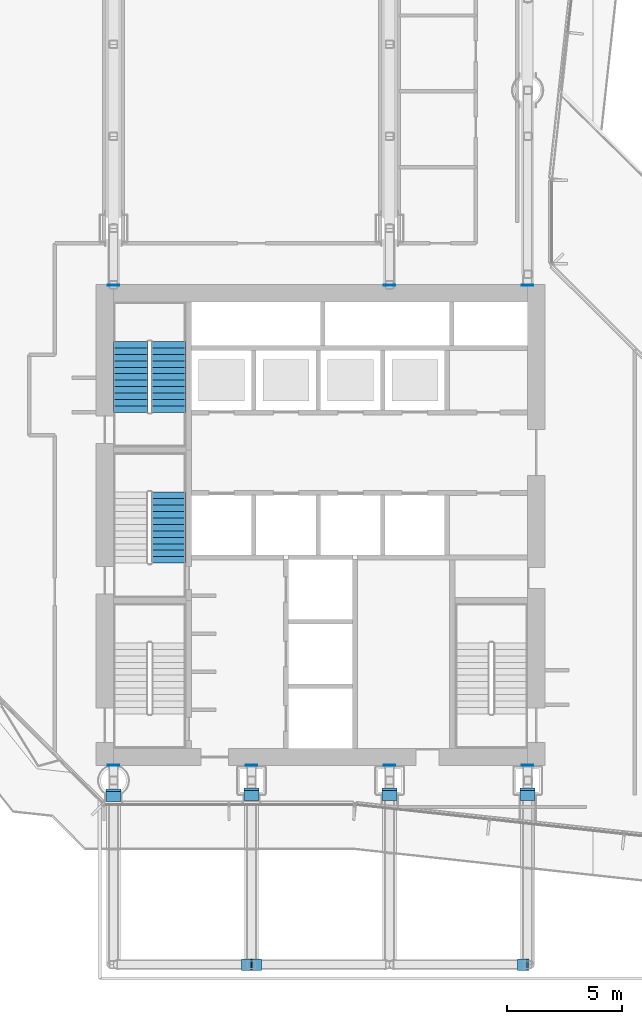
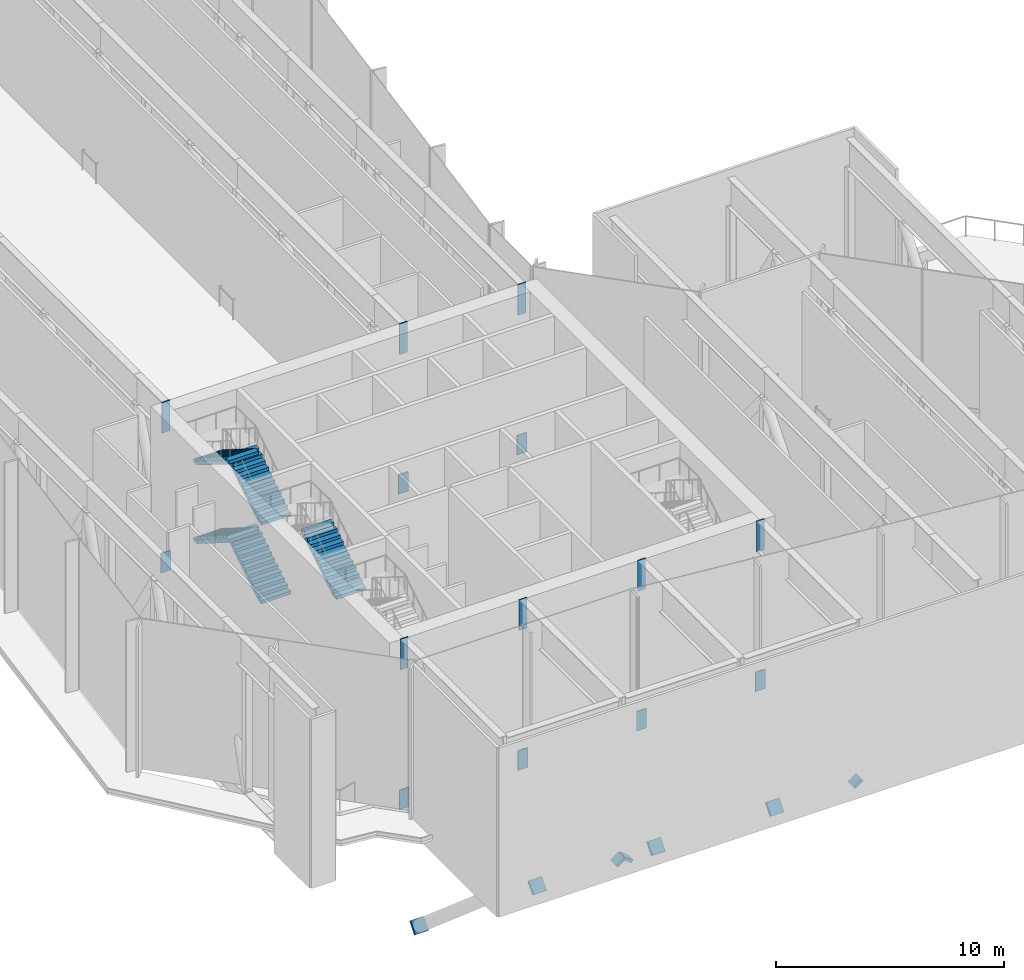
# One storey, part 16 of 24: 21 discrete accessories, 5 stair flights, 2 elements without a shape of their own.
"""IFC4 building model written with IfcOpenShell, lengths in metres."""

from ifc_helpers import new_model, si_unit, direction, frame, origin, origin_2d, place, context, subcontext, project, spatial, polyline, rectangle, outline, extrude, material, type_object, element, aggregate, save


model = new_model("IFC4")

# Units and contexts
model_context = context("Model", 3, precision=1e-05, world=origin(), true_north=direction((0.0, 1.0)))
body_context = subcontext(model_context, "Body", "Model", "MODEL_VIEW")
ifc_project = project(units=[si_unit("LENGTHUNIT", "METRE"), si_unit("AREAUNIT", "SQUARE_METRE"), si_unit("VOLUMEUNIT", "CUBIC_METRE"), si_unit("PLANEANGLEUNIT", "RADIAN"), si_unit("MASSUNIT", "GRAM", prefix="KILO")], contexts=[model_context])

# Site, building, storey
site_placement = place(None, origin())
site = spatial("IfcSite", under=ifc_project, at=site_placement, CompositionType="ELEMENT")
building_placement = place(site_placement, origin())
building = spatial("IfcBuilding", under=site, at=building_placement, Name="Welwitschia Terrace Campus", CompositionType="ELEMENT")
storey_placement = place(building_placement, frame((0.0, 0.0, 138.199951171875)))
storey = spatial("IfcBuildingStorey", under=building, at=storey_placement, Name="L31", CompositionType="ELEMENT", Elevation=138.199951171875)

# Stair, stair flight
ifc_material_1 = material(Name="Concrete C40/50", Category="concrete")
stair_type = type_object("IfcStairType", Name="Stair 48R 175 W1500", PredefinedType="HALF_TURN_STAIR", material=ifc_material_1)
stair_1_placement = place(storey_placement, origin())
stair_1 = element("IfcStair", 1, at=stair_1_placement, inside=storey, type_object=stair_type, Name="L31 Exit stair S3", PredefinedType="HALF_TURN_STAIR")
ifc_material_2 = material(Name="Concrete C40/50", Category="concrete")
stair_flight_type = type_object("IfcStairFlightType", Name="Stair flight 48R 175 W1500", PredefinedType="STRAIGHT", material=ifc_material_2)
stair_flight_1_placement = place(storey_placement, frame((8.39990234375, 13.449951171875, 4.199951171875), z_axis=(0.0, 0.0, 1.0), x_axis=(0.0, 1.0, 0.0)))
stair_flight_1 = element("IfcStairFlight", 2, at=stair_flight_1_placement, type_object=stair_flight_type, Name="S3 flight 3", NumberOfRisers=12, NumberOfTreads=11, PredefinedType="STRAIGHT", RiserHeight=0.175, TreadLength=0.28, context=body_context, shape_type="SweptSolid", body=[
    extrude(outline(polyline([(0.0, 0.0), (0.0, 0.175048828125), (0.280029296875, 0.175048828125), (0.280029296875, 0.35009765625), (0.56005859375, 0.35009765625), (0.56005859375, 0.52490234375), (0.840087890625, 0.52490234375), (0.840087890625, 0.699951171875), (1.1201171875, 0.699951171875), (1.1201171875, 0.875), (1.39990234375, 0.875), (1.39990234375, 1.050048828125), (1.679931640625, 1.050048828125), (1.679931640625, 1.22509765625), (1.9599609375, 1.22509765625), (1.9599609375, 1.39990234375), (2.239990234375, 1.39990234375), (2.239990234375, 1.574951171875), (2.52001953125, 1.574951171875), (2.52001953125, 1.75), (2.800048828125, 1.75), (2.800048828125, 1.925048828125), (3.080078125, 1.925048828125), (3.080078125, 2.10009765625), (3.080078125, 1.748291015625), (0.28271484375, 0.0), (0.0, 0.0)])), frame((0.0, 0.75, 0.0), z_axis=(0.0, -1.0, 0.0), x_axis=(1.0, 0.0, 0.0)), (0.0, 0.0, 1.0), 1.5),
])
aggregate(stair_1, [stair_flight_1])

# Stair, stair flights
stair_2_placement = place(storey_placement, origin())
stair_2 = element("IfcStair", 3, at=stair_2_placement, inside=storey, type_object=stair_type, Name="L31 Exit stair S4", PredefinedType="HALF_TURN_STAIR")
stair_flight_2_placement = place(storey_placement, frame((8.39990234375, 20.0, 0.0), z_axis=(0.0, 0.0, 1.0), x_axis=(0.0, 1.0, 0.0)))
stair_flight_2 = element("IfcStairFlight", 4, at=stair_flight_2_placement, type_object=stair_flight_type, Name="S4 flight 1", NumberOfRisers=12, NumberOfTreads=11, PredefinedType="STRAIGHT", RiserHeight=0.175, TreadLength=0.28, context=body_context, shape_type="SweptSolid", body=[
    extrude(outline(polyline([(0.0, 0.0), (0.0, 0.175048828125), (0.280029296875, 0.175048828125), (0.280029296875, 0.35009765625), (0.56005859375, 0.35009765625), (0.56005859375, 0.52490234375), (0.840087890625, 0.52490234375), (0.840087890625, 0.699951171875), (1.1201171875, 0.699951171875), (1.1201171875, 0.875), (1.39990234375, 0.875), (1.39990234375, 1.050048828125), (1.679931640625, 1.050048828125), (1.679931640625, 1.22509765625), (1.9599609375, 1.22509765625), (1.9599609375, 1.39990234375), (2.239990234375, 1.39990234375), (2.239990234375, 1.574951171875), (2.52001953125, 1.574951171875), (2.52001953125, 1.75), (2.800048828125, 1.75), (2.800048828125, 1.925048828125), (3.080078125, 1.925048828125), (3.080078125, 2.10009765625), (3.080078125, 1.748291015625), (0.28271484375, 0.0), (0.0, 0.0)])), frame((0.0, 0.75, 0.0), z_axis=(0.0, -1.0, 0.0), x_axis=(1.0, 0.0, 0.0)), (0.0, 0.0, 1.0), 1.5),
])
stair_flight_3_placement = place(storey_placement, frame((6.75, 23.080078125, 2.10009765625), z_axis=(0.0, 0.0, 1.0), x_axis=(0.0, -1.0, 0.0)))
stair_flight_3 = element("IfcStairFlight", 5, at=stair_flight_3_placement, type_object=stair_flight_type, Name="S4 flight 2", NumberOfRisers=12, NumberOfTreads=11, PredefinedType="STRAIGHT", RiserHeight=0.175, TreadLength=0.28, context=body_context, shape_type="SweptSolid", body=[
    extrude(outline(polyline([(0.0, 0.0), (0.0, 0.175048828125), (0.280029296875, 0.175048828125), (0.280029296875, 0.35009765625), (0.56005859375, 0.35009765625), (0.56005859375, 0.52490234375), (0.840087890625, 0.52490234375), (0.840087890625, 0.699951171875), (1.1201171875, 0.699951171875), (1.1201171875, 0.875), (1.39990234375, 0.875), (1.39990234375, 1.050048828125), (1.679931640625, 1.050048828125), (1.679931640625, 1.22509765625), (1.9599609375, 1.22509765625), (1.9599609375, 1.39990234375), (2.239990234375, 1.39990234375), (2.239990234375, 1.574951171875), (2.52001953125, 1.574951171875), (2.52001953125, 1.75), (2.800048828125, 1.75), (2.800048828125, 1.925048828125), (3.080078125, 1.925048828125), (3.080078125, 2.10009765625), (3.080078125, 1.748291015625), (0.28271484375, 0.0), (0.0, 0.0)])), frame((0.0, 0.75, 0.0), z_axis=(0.0, -1.0, 0.0), x_axis=(1.0, 0.0, 0.0)), (0.0, 0.0, 1.0), 1.5),
])
stair_flight_4_placement = place(storey_placement, frame((8.39990234375, 20.0, 4.199951171875), z_axis=(0.0, 0.0, 1.0), x_axis=(0.0, 1.0, 0.0)))
stair_flight_4 = element("IfcStairFlight", 6, at=stair_flight_4_placement, type_object=stair_flight_type, Name="S4 flight 3", NumberOfRisers=12, NumberOfTreads=11, PredefinedType="STRAIGHT", RiserHeight=0.175, TreadLength=0.28, context=body_context, shape_type="SweptSolid", body=[
    extrude(outline(polyline([(0.0, 0.0), (0.0, 0.175048828125), (0.280029296875, 0.175048828125), (0.280029296875, 0.35009765625), (0.56005859375, 0.35009765625), (0.56005859375, 0.52490234375), (0.840087890625, 0.52490234375), (0.840087890625, 0.699951171875), (1.1201171875, 0.699951171875), (1.1201171875, 0.875), (1.39990234375, 0.875), (1.39990234375, 1.050048828125), (1.679931640625, 1.050048828125), (1.679931640625, 1.22509765625), (1.9599609375, 1.22509765625), (1.9599609375, 1.39990234375), (2.239990234375, 1.39990234375), (2.239990234375, 1.574951171875), (2.52001953125, 1.574951171875), (2.52001953125, 1.75), (2.800048828125, 1.75), (2.800048828125, 1.925048828125), (3.080078125, 1.925048828125), (3.080078125, 2.10009765625), (3.080078125, 1.748291015625), (0.28271484375, 0.0), (0.0, 0.0)])), frame((0.0, 0.75, 0.0), z_axis=(0.0, -1.0, 0.0), x_axis=(1.0, 0.0, 0.0)), (0.0, 0.0, 1.0), 1.5),
])
stair_flight_5_placement = place(storey_placement, frame((6.75, 23.080078125, 6.300048828125), z_axis=(0.0, 0.0, 1.0), x_axis=(0.0, -1.0, 0.0)))
stair_flight_5 = element("IfcStairFlight", 7, at=stair_flight_5_placement, type_object=stair_flight_type, Name="S4 flight 4", NumberOfRisers=12, NumberOfTreads=11, PredefinedType="STRAIGHT", RiserHeight=0.175, TreadLength=0.28, context=body_context, shape_type="SweptSolid", body=[
    extrude(outline(polyline([(0.0, 0.0), (0.0, 0.175048828125), (0.280029296875, 0.175048828125), (0.280029296875, 0.35009765625), (0.56005859375, 0.35009765625), (0.56005859375, 0.52490234375), (0.840087890625, 0.52490234375), (0.840087890625, 0.699951171875), (1.1201171875, 0.699951171875), (1.1201171875, 0.875), (1.39990234375, 0.875), (1.39990234375, 1.050048828125), (1.679931640625, 1.050048828125), (1.679931640625, 1.22509765625), (1.9599609375, 1.22509765625), (1.9599609375, 1.39990234375), (2.239990234375, 1.39990234375), (2.239990234375, 1.574951171875), (2.52001953125, 1.574951171875), (2.52001953125, 1.75), (2.800048828125, 1.75), (2.800048828125, 1.925048828125), (3.080078125, 1.925048828125), (3.080078125, 2.10009765625), (3.080078125, 1.748291015625), (0.28271484375, 0.0), (0.0, 0.0)])), frame((0.0, 0.75, 0.0), z_axis=(0.0, -1.0, 0.0), x_axis=(1.0, 0.0, 0.0)), (0.0, 0.0, 1.0), 1.5),
])
aggregate(stair_2, [stair_flight_2, stair_flight_3, stair_flight_4, stair_flight_5])

# Discrete accessories
discrete_accessory_1_placement = place(storey_placement, frame((6.0, 4.64990234375, -0.5), z_axis=(0.0, 1.0, 0.0), x_axis=(-1.0, 0.0, 0.0)))
element("IfcDiscreteAccessory", 8, at=discrete_accessory_1_placement, inside=storey, Name="Cast-in embed plate", PredefinedType="BRACKET", context=body_context, shape_type="SweptSolid", body=[
    extrude(rectangle(XDim=0.5, YDim=1.050048828125, at=origin_2d()), origin(), (0.0, 0.0, 1.0), 0.0400390625),
])
discrete_accessory_2_placement = place(storey_placement, frame((6.0, 4.64990234375, 7.25), z_axis=(0.0, 1.0, 0.0), x_axis=(-1.0, 0.0, 0.0)))
element("IfcDiscreteAccessory", 9, at=discrete_accessory_2_placement, inside=storey, Name="Cast-in embed plate", PredefinedType="BRACKET", context=body_context, shape_type="SweptSolid", body=[
    extrude(rectangle(XDim=0.39990234375, YDim=1.64990234375, at=origin_2d()), origin(), (0.0, 0.0, 1.0), 0.0400390625),
])
discrete_accessory_3_placement = place(storey_placement, frame((6.0, 25.550048828125, -0.5), z_axis=(0.0, -1.0, 0.0), x_axis=(1.0, 0.0, 0.0)))
element("IfcDiscreteAccessory", 10, at=discrete_accessory_3_placement, inside=storey, Name="Cast-in embed plate", PredefinedType="BRACKET", context=body_context, shape_type="SweptSolid", body=[
    extrude(rectangle(XDim=0.5, YDim=1.050048828125, at=origin_2d()), origin(), (0.0, 0.0, 1.0), 0.0400390625),
])
discrete_accessory_4_placement = place(storey_placement, frame((6.0, 25.550048828125, 7.25), z_axis=(0.0, -1.0, 0.0), x_axis=(1.0, 0.0, 0.0)))
element("IfcDiscreteAccessory", 11, at=discrete_accessory_4_placement, inside=storey, Name="Cast-in embed plate", PredefinedType="BRACKET", context=body_context, shape_type="SweptSolid", body=[
    extrude(rectangle(XDim=0.39990234375, YDim=1.64990234375, at=origin_2d()), origin(), (0.0, 0.0, 1.0), 0.0400390625),
])
discrete_accessory_5_placement = place(storey_placement, frame((12.0, 4.64990234375, -0.5), z_axis=(0.0, 1.0, 0.0), x_axis=(-1.0, 0.0, 0.0)))
element("IfcDiscreteAccessory", 12, at=discrete_accessory_5_placement, inside=storey, Name="Cast-in embed plate", PredefinedType="BRACKET", context=body_context, shape_type="SweptSolid", body=[
    extrude(rectangle(XDim=0.5, YDim=1.050048828125, at=origin_2d()), origin(), (0.0, 0.0, 1.0), 0.0400390625),
])
discrete_accessory_6_placement = place(storey_placement, frame((12.0, 4.64990234375, 7.25), z_axis=(0.0, 1.0, 0.0), x_axis=(-1.0, 0.0, 0.0)))
element("IfcDiscreteAccessory", 13, at=discrete_accessory_6_placement, inside=storey, Name="Cast-in embed plate", PredefinedType="BRACKET", context=body_context, shape_type="SweptSolid", body=[
    extrude(rectangle(XDim=0.39990234375, YDim=1.64990234375, at=origin_2d()), origin(), (0.0, 0.0, 1.0), 0.0400390625),
])
discrete_accessory_7_placement = place(storey_placement, frame((18.0, 4.64990234375, -0.5), z_axis=(0.0, 1.0, 0.0), x_axis=(-1.0, 0.0, 0.0)))
element("IfcDiscreteAccessory", 14, at=discrete_accessory_7_placement, inside=storey, Name="Cast-in embed plate", PredefinedType="BRACKET", context=body_context, shape_type="SweptSolid", body=[
    extrude(rectangle(XDim=0.5, YDim=1.050048828125, at=origin_2d()), origin(), (0.0, 0.0, 1.0), 0.0400390625),
])
discrete_accessory_8_placement = place(storey_placement, frame((18.0, 4.64990234375, 7.25), z_axis=(0.0, 1.0, 0.0), x_axis=(-1.0, 0.0, 0.0)))
element("IfcDiscreteAccessory", 15, at=discrete_accessory_8_placement, inside=storey, Name="Cast-in embed plate", PredefinedType="BRACKET", context=body_context, shape_type="SweptSolid", body=[
    extrude(rectangle(XDim=0.39990234375, YDim=1.64990234375, at=origin_2d()), origin(), (0.0, 0.0, 1.0), 0.0400390625),
])
discrete_accessory_9_placement = place(storey_placement, frame((18.0, 25.550048828125, -0.5), z_axis=(0.0, -1.0, 0.0), x_axis=(1.0, 0.0, 0.0)))
element("IfcDiscreteAccessory", 16, at=discrete_accessory_9_placement, inside=storey, Name="Cast-in embed plate", PredefinedType="BRACKET", context=body_context, shape_type="SweptSolid", body=[
    extrude(rectangle(XDim=0.5, YDim=1.050048828125, at=origin_2d()), origin(), (0.0, 0.0, 1.0), 0.0400390625),
])
discrete_accessory_10_placement = place(storey_placement, frame((18.0, 25.550048828125, 7.25), z_axis=(0.0, -1.0, 0.0), x_axis=(1.0, 0.0, 0.0)))
element("IfcDiscreteAccessory", 17, at=discrete_accessory_10_placement, inside=storey, Name="Cast-in embed plate", PredefinedType="BRACKET", context=body_context, shape_type="SweptSolid", body=[
    extrude(rectangle(XDim=0.39990234375, YDim=1.64990234375, at=origin_2d()), origin(), (0.0, 0.0, 1.0), 0.0400390625),
])
discrete_accessory_11_placement = place(storey_placement, frame((24.0, 4.64990234375, -0.5), z_axis=(0.0, 1.0, 0.0), x_axis=(-1.0, 0.0, 0.0)))
element("IfcDiscreteAccessory", 18, at=discrete_accessory_11_placement, inside=storey, Name="Cast-in embed plate", PredefinedType="BRACKET", context=body_context, shape_type="SweptSolid", body=[
    extrude(rectangle(XDim=0.5, YDim=1.050048828125, at=origin_2d()), origin(), (0.0, 0.0, 1.0), 0.0400390625),
])
discrete_accessory_12_placement = place(storey_placement, frame((24.0, 4.64990234375, 7.25), z_axis=(0.0, 1.0, 0.0), x_axis=(-1.0, 0.0, 0.0)))
element("IfcDiscreteAccessory", 19, at=discrete_accessory_12_placement, inside=storey, Name="Cast-in embed plate", PredefinedType="BRACKET", context=body_context, shape_type="SweptSolid", body=[
    extrude(rectangle(XDim=0.39990234375, YDim=1.64990234375, at=origin_2d()), origin(), (0.0, 0.0, 1.0), 0.0400390625),
])
discrete_accessory_13_placement = place(storey_placement, frame((24.0, 25.550048828125, -0.5), z_axis=(0.0, -1.0, 0.0), x_axis=(1.0, 0.0, 0.0)))
element("IfcDiscreteAccessory", 20, at=discrete_accessory_13_placement, inside=storey, Name="Cast-in embed plate", PredefinedType="BRACKET", context=body_context, shape_type="SweptSolid", body=[
    extrude(rectangle(XDim=0.5, YDim=1.050048828125, at=origin_2d()), origin(), (0.0, 0.0, 1.0), 0.0400390625),
])
discrete_accessory_14_placement = place(storey_placement, frame((24.0, 25.550048828125, 7.25), z_axis=(0.0, -1.0, 0.0), x_axis=(1.0, 0.0, 0.0)))
element("IfcDiscreteAccessory", 21, at=discrete_accessory_14_placement, inside=storey, Name="Cast-in embed plate", PredefinedType="BRACKET", context=body_context, shape_type="SweptSolid", body=[
    extrude(rectangle(XDim=0.39990234375, YDim=1.64990234375, at=origin_2d()), origin(), (0.0, 0.0, 1.0), 0.0400390625),
])
for number, where, z_axis, x_axis, name in (
    (22, (11.77490234375, -4.0, -0.5), (0.585846996419, 0.0, -0.810421678379), (0.0, 1.0, 0.0), "Seat plate"),
    (23, (12.22509765625, -4.0, -0.5), (-0.585846996419, 0.0, -0.810421678379), (0.0, -1.0, 0.0), "Seat plate"),
    (24, (23.77490234375, -4.0, -0.5), (0.585846996419, 0.0, -0.810421678379), (0.0, 1.0, 0.0), "Seat plate"),
):
    element("IfcDiscreteAccessory", number, at=place(storey_placement, frame(where, z_axis=z_axis, x_axis=x_axis)), inside=storey, Name=name, PredefinedType="BRACKET", context=body_context, shape_type="SweptSolid", body=[
        extrude(rectangle(XDim=0.507080078125, YDim=0.507080078125, at=origin_2d()), origin(), (0.0, 0.0, 1.0), 0.14990234375),
    ])
for number, where, z_axis, x_axis, name in (
    (25, (6.0, 3.302001953125, -6.474853515625), (0.0, 0.759486151634, -0.65052347035), (-1.0, 0.0, 0.0), "Seat plate"),
    (26, (12.0, 3.352783203125, -6.474853515625), (0.0, 0.760975609756, -0.648780487805), (-1.0, 0.0, 0.0), "Seat plate"),
    (27, (18.0, 3.352783203125, -6.474853515625), (0.0, 0.760975609756, -0.648780487805), (-1.0, 0.0, 0.0), "Seat plate"),
    (28, (24.0, 3.352783203125, -6.474853515625), (0.0, 0.760975609756, -0.648780487805), (-1.0, 0.0, 0.0), "Seat plate"),
):
    element("IfcDiscreteAccessory", number, at=place(storey_placement, frame(where, z_axis=z_axis, x_axis=x_axis)), inside=storey, Name=name, PredefinedType="BRACKET", context=body_context, shape_type="SweptSolid", body=[
        extrude(rectangle(XDim=0.659912109375, YDim=0.659912109375, at=origin_2d()), origin(), (0.0, 0.0, 1.0), 0.150146484375),
    ])

save(model, "model.ifc")
